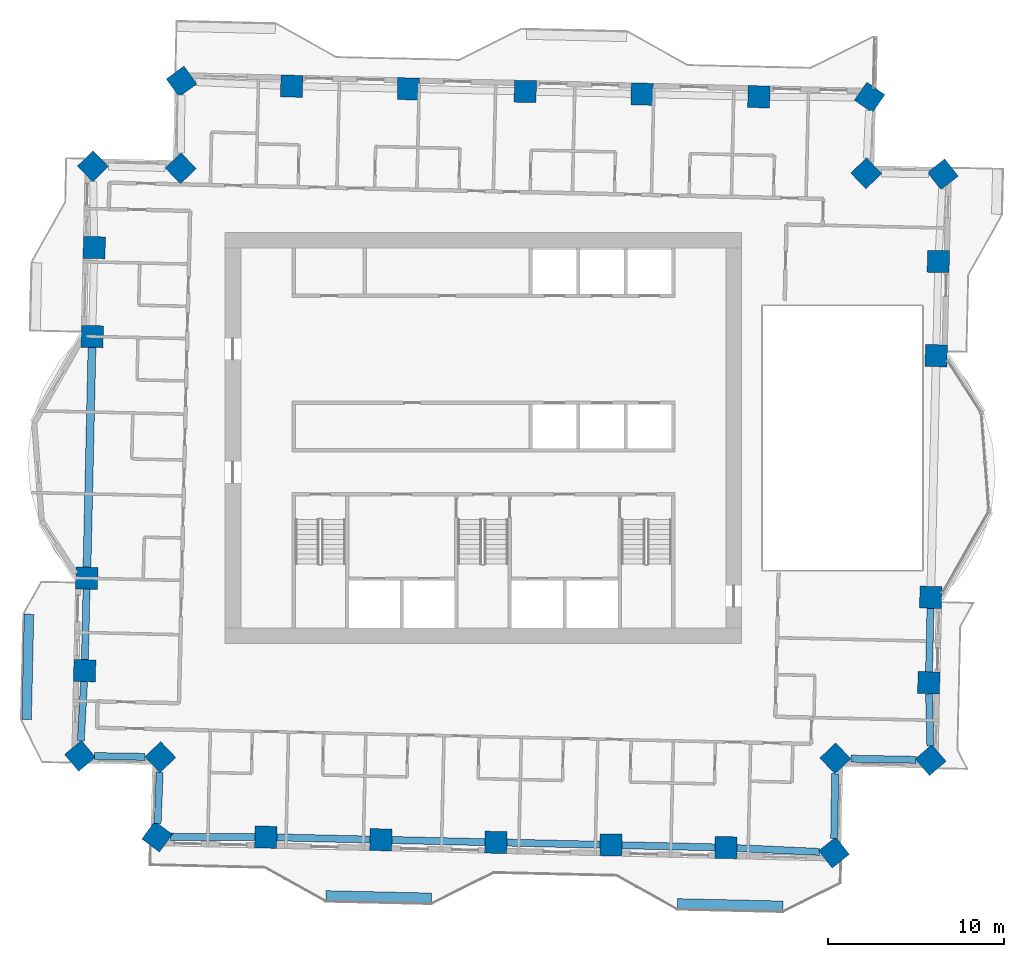
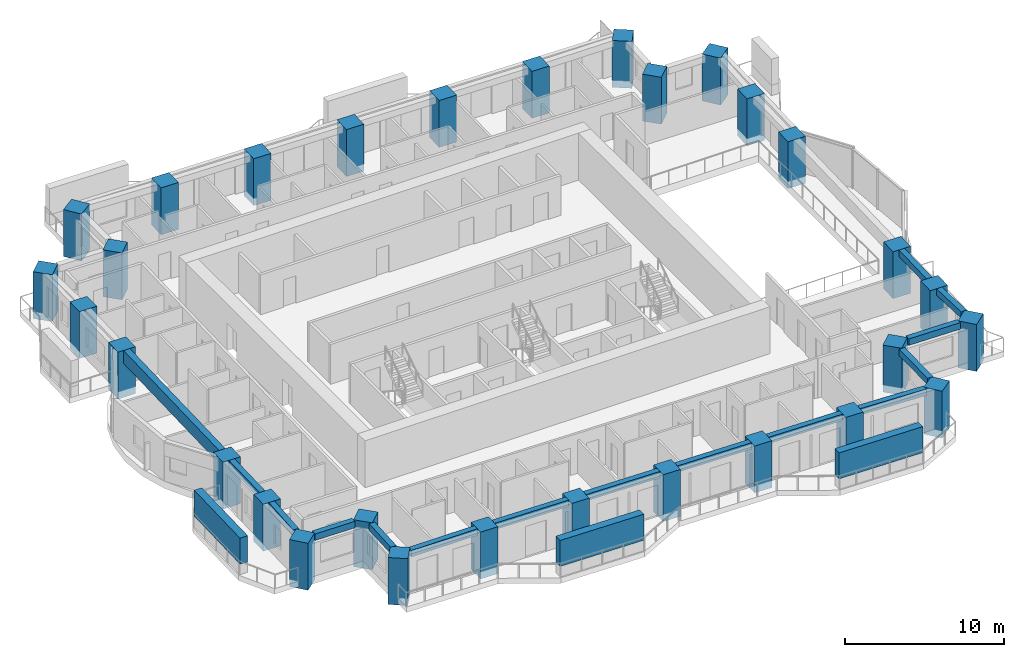
# One storey, part 1 of 14: 30 columns, 15 beams, 3 members.
"""IFC4 building model written with IfcOpenShell, lengths in metres."""

from ifc_helpers import new_model, si_unit, direction, frame, origin, origin_2d, place, context, subcontext, project, spatial, rectangle, extrude, material, material_profile, profile_set, type_object, element, save


model = new_model("IFC4")

# Units and contexts
model_context = context("Model", 3, precision=1e-05, world=origin(), true_north=direction((0.0, 1.0)))
body_context = subcontext(model_context, "Body", "Model", "MODEL_VIEW")
ifc_project = project(units=[si_unit("LENGTHUNIT", "METRE"), si_unit("AREAUNIT", "SQUARE_METRE"), si_unit("VOLUMEUNIT", "CUBIC_METRE"), si_unit("PLANEANGLEUNIT", "RADIAN"), si_unit("MASSUNIT", "GRAM", prefix="KILO")], contexts=[model_context])

# Site, building, storey
site_placement = place(None, origin())
site = spatial("IfcSite", under=ifc_project, at=site_placement, CompositionType="ELEMENT")
building_placement = place(site_placement, origin())
building = spatial("IfcBuilding", under=site, at=building_placement, Name="Mangrove Gate Tower", CompositionType="ELEMENT")
storey_placement = place(building_placement, frame((0.0, 0.0, 167.10009765625)))
storey = spatial("IfcBuildingStorey", under=building, at=storey_placement, Name="L42", CompositionType="ELEMENT", Elevation=167.10009765625)

# Columns
ifc_material_1 = material(Name="Concrete C60/75", Category="concrete")
ifc_material_profile_1 = material_profile(ifc_material_1, rectangle(XDim=1.25, YDim=1.25, at=origin_2d()))
ifc_profile_set_1 = profile_set([ifc_material_profile_1], Name="Concrete C60/75")
column_type = type_object("IfcColumnType", Name="Column RC 1250x1250 C60/75", PredefinedType="COLUMN", material=ifc_profile_set_1)
for number, where, z_axis, x_axis, name in (
    (1, (-22.565185546875, -7.979248046875, -0.550048828125), (0.0, 0.0, 1.0), (-0.022667651322, -0.999743055782, 0.0), "Column L42 W05"),
    (2, (-22.68408203125, -13.240234375, -0.550048828125), (0.0, 0.0, 1.0), (-0.022613490188, -0.999744282335, 0.0), "Column L42 W06"),
    (3, (-22.9482421875, -18.08642578125, -0.550048828125), (0.0, 0.0, 1.0), (0.640873753585, -0.767646293527, 0.0), "Column L42 W07"),
    (4, (-18.378173828125, -18.1591796875, -0.550048828125), (0.0, 0.0, 1.0), (0.690859559249, -0.722988982899, 0.0), "Column L42 W08"),
    (5, (-18.563232421875, -22.686767578125, -0.550048828125), (0.0, 0.0, 1.0), (0.804996144733, -0.593280040929, 0.0), "Column L42 S01"),
    (6, (-12.374755859375, -22.713134765625, -0.550048828125), (0.0, 0.0, 1.0), (0.999742702367, -0.022683233105, 0.0), "Column L42 S02"),
    (7, (-5.829833984375, -22.862060546875, -0.550048828125), (0.0, 0.0, 1.0), (0.999742702367, -0.022683233105, 0.0), "Column L42 S03"),
    (8, (0.715087890625, -23.01025390625, -0.550048828125), (0.0, 0.0, 1.0), (0.999742702367, -0.022683233105, 0.0), "Column L42 S04"),
    (9, (7.26025390625, -23.1591796875, -0.550048828125), (0.0, 0.0, 1.0), (0.999742702367, -0.022683233105, 0.0), "Column L42 S05"),
    (10, (13.80517578125, -23.30712890625, -0.550048828125), (0.0, 0.0, 1.0), (0.999742702367, -0.022683233105, 0.0), "Column L42 S06"),
    (11, (19.94921875, -23.590087890625, -0.550048828125), (0.0, 0.0, 1.0), (0.785651346068, 0.618669509853, 0.0), "Column L42 S07"),
    (12, (20.026123046875, -18.230224609375, -0.550048828125), (0.0, 0.0, 1.0), (0.722965976266, 0.690883635037, 0.0), "Column L42 E01"),
    (13, (25.449462890625, -18.3310546875, -0.550048828125), (0.0, 0.0, 1.0), (0.758167511602, 0.65205983188, 0.0), "Column L42 E02"),
    (14, (25.342041015625, -13.9296875, -0.550048828125), (0.0, 0.0, 1.0), (0.022726069892, 0.999741729522, 0.0), "Column L42 E03"),
    (15, (25.453125, -9.06884765625, -0.550048828125), (0.0, 0.0, 1.0), (0.022725057863, 0.999741752527, 0.0), "Column L42 E04"),
    (16, (25.76513671875, 4.67919921875, -0.550048828125), (0.0, 0.0, 1.0), (0.022654843895, 0.999743346088, 0.0), "Column L42 E05"),
    (17, (25.88623046875, 10.0390625, -0.550048828125), (0.0, 0.0, 1.0), (0.022659973846, 0.999743229827, 0.0), "Column L42 E06"),
    (18, (26.140869140625, 15.000732421875, -0.550048828125), (0.0, 0.0, 1.0), (-0.616591984417, 0.787282874672, 0.0), "Column L42 E07"),
    (19, (21.7822265625, 15.05419921875, -0.550048828125), (0.0, 0.0, 1.0), (-0.690854032309, 0.722994264183, 0.0), "Column L42 E08"),
    (20, (21.977294921875, 19.371826171875, -0.550048828125), (0.0, 0.0, 1.0), (-0.821084149613, 0.570807164684, 0.0), "Column L42 N01"),
    (21, (15.6748046875, 19.4111328125, -0.550048828125), (0.0, 0.0, 1.0), (-0.999741913136, 0.022717991104, 0.0), "Column L42 N02"),
    (22, (9.02978515625, 19.562255859375, -0.550048828125), (0.0, 0.0, 1.0), (-0.999741913136, 0.022717991104, 0.0), "Column L42 N03"),
    (23, (2.384765625, 19.713134765625, -0.550048828125), (0.0, 0.0, 1.0), (-0.999743618843, 0.022642804212, 0.0), "Column L42 N04"),
    (24, (-4.26025390625, 19.86328125, -0.550048828125), (0.0, 0.0, 1.0), (-0.999743618843, 0.022642804212, 0.0), "Column L42 N05"),
    (25, (-10.9052734375, 20.01416015625, -0.550048828125), (0.0, 0.0, 1.0), (-0.999741913136, 0.022717991104, 0.0), "Column L42 N06"),
    (26, (-17.171630859375, 20.2822265625, -0.550048828125), (0.0, 0.0, 1.0), (-0.812545678333, -0.582897521545, 0.0), "Column L42 N07"),
    (27, (-17.21728515625, 15.339111328125, -0.550048828125), (0.0, 0.0, 1.0), (-0.722976563275, -0.690872556232, 0.0), "Column L42 W01"),
    (28, (-22.21337890625, 15.455810546875, -0.550048828125), (0.0, 0.0, 1.0), (-0.718744863036, -0.695273918581, 0.0), "Column L42 W02"),
    (29, (-22.13818359375, 10.829833984375, -0.550048828125), (0.0, 0.0, 1.0), (-0.022716926728, -0.999741937322, 0.0), "Column L42 W03"),
    (30, (-22.253173828125, 5.768798828125, -0.550048828125), (0.0, 0.0, 1.0), (-0.022696057972, -0.9997424113, 0.0), "Column L42 W04"),
):
    element("IfcColumn", number, at=place(storey_placement, frame(where, z_axis=z_axis, x_axis=x_axis)), inside=storey, type_object=column_type, Name=name, PredefinedType="COLUMN", context=body_context, shape_type="SweptSolid", body=[
        extrude(rectangle(XDim=1.25, YDim=1.25, at=origin_2d()), origin(), (0.0, 0.0, 1.0), 3.599853515625),
    ])

# Members
ifc_material_2 = material(Name="Planting on aluminium trellis", Category="aluminium")
ifc_material_profile_2 = material_profile(ifc_material_2, rectangle(XDim=0.550048828125, YDim=2.0, at=origin_2d()))
ifc_profile_set_2 = profile_set([ifc_material_profile_2], Name="Planting on aluminium trellis")
member_type = type_object("IfcMemberType", Name="Balcony greenery screen 550x2000", PredefinedType="USERDEFINED", material=ifc_profile_set_2)
member_placement = place(storey_placement, frame((-25.988037109375, -16.028076171875, 1.7998046875), z_axis=(0.022662255828, 0.999743178102, 0.0), x_axis=(-0.999743178102, 0.022662255828, 0.0)))
element("IfcMember", 31, at=member_placement, inside=storey, type_object=member_type, Name="GREEN SCREEN L42 W1.1", ObjectType="PLANTING", PredefinedType="USERDEFINED", context=body_context, shape_type="SweptSolid", body=[
    extrude(rectangle(XDim=0.550048828125, YDim=2.0, at=origin_2d()), origin(), (0.0, 0.0, 1.0), 6.00048828125),
])
for number, where, z_axis, x_axis, name in (
    (32, (-8.9560546875, -26.031982421875, 1.7998046875), (0.999743094499, -0.022665943652, 0.0), (0.022665943652, 0.999743094499, 0.0), "GREEN SCREEN L42 S0.1"),
    (33, (11.0390625, -26.486083984375, 1.7998046875), (0.999743094499, -0.022665943652, 0.0), (0.022665943652, 0.999743094499, 0.0), "GREEN SCREEN L42 S1.1"),
):
    element("IfcMember", number, at=place(storey_placement, frame(where, z_axis=z_axis, x_axis=x_axis)), inside=storey, type_object=member_type, Name=name, ObjectType="PLANTING", PredefinedType="USERDEFINED", context=body_context, shape_type="SweptSolid", body=[
        extrude(rectangle(XDim=0.550048828125, YDim=2.0, at=origin_2d()), origin(), (0.0, 0.0, 1.0), 5.99951171875),
    ])

# Beams
ifc_material_3 = material(Name="Concrete C50/60", Category="concrete")
ifc_material_profile_3 = material_profile(ifc_material_3, rectangle(XDim=0.39990234375, YDim=0.5, at=origin_2d()))
ifc_profile_set_3 = profile_set([ifc_material_profile_3], Name="Concrete C50/60")
beam_type_1 = type_object("IfcBeamType", Name="Edge beam RC 400x500 C50/60", PredefinedType="BEAM", material=ifc_profile_set_3)
beam_1_placement = place(storey_placement, frame((-22.579345703125, -8.60400390625, 2.7998046875), z_axis=(-0.02257489059, -0.999745154684, 0.0), x_axis=(0.999745154684, -0.02257489059, 0.0)))
element("IfcBeam", 34, at=beam_1_placement, inside=storey, type_object=beam_type_1, Name="Edge beam L42 00", PredefinedType="BEAM", context=body_context, shape_type="SweptSolid", body=[
    extrude(rectangle(XDim=0.39990234375, YDim=0.5, at=origin_2d()), origin(), (0.0, 0.0, 1.0), 4.01220703125),
])
beam_2_placement = place(storey_placement, frame((-22.71826171875, -13.864501953125, 2.7998046875), z_axis=(-0.054415957845, -0.998518354129, 0.0), x_axis=(0.998518354129, -0.054415957845, 0.0)))
element("IfcBeam", 35, at=beam_2_placement, inside=storey, type_object=beam_type_1, Name="Edge beam L42 01", PredefinedType="BEAM", context=body_context, shape_type="SweptSolid", body=[
    extrude(rectangle(XDim=0.39990234375, YDim=0.5, at=origin_2d()), origin(), (0.0, 0.0, 1.0), 3.373779296875),
])
beam_3_placement = place(storey_placement, frame((-22.123046875, -18.099609375, 2.7998046875), z_axis=(0.999873252746, -0.015921006324, 0.0), x_axis=(0.015921006324, 0.999873252746, 0.0)))
element("IfcBeam", 36, at=beam_3_placement, inside=storey, type_object=beam_type_1, Name="Edge beam L42 02", PredefinedType="BEAM", context=body_context, shape_type="SweptSolid", body=[
    extrude(rectangle(XDim=0.39990234375, YDim=0.5, at=origin_2d()), origin(), (0.0, 0.0, 1.0), 2.867431640625),
])
beam_4_placement = place(storey_placement, frame((-18.41357421875, -19.02685546875, 2.7998046875), z_axis=(-0.040876425579, -0.999164209643, 0.0), x_axis=(0.999164209643, -0.040876425579, 0.0)))
element("IfcBeam", 37, at=beam_4_placement, inside=storey, type_object=beam_type_1, Name="Edge beam L42 03", PredefinedType="BEAM", context=body_context, shape_type="SweptSolid", body=[
    extrude(rectangle(XDim=0.39990234375, YDim=0.5, at=origin_2d()), origin(), (0.0, 0.0, 1.0), 2.90869140625),
])
beam_5_placement = place(storey_placement, frame((-17.789306640625, -22.690185546875, 2.7998046875), z_axis=(0.999991049338, -0.004230986241, 0.0), x_axis=(0.004230986241, 0.999991049338, 0.0)))
element("IfcBeam", 38, at=beam_5_placement, inside=storey, type_object=beam_type_1, Name="Edge beam L42 04", PredefinedType="BEAM", context=body_context, shape_type="SweptSolid", body=[
    extrude(rectangle(XDim=0.39990234375, YDim=0.5, at=origin_2d()), origin(), (0.0, 0.0, 1.0), 4.789306640625),
])
for number, where, z_axis, x_axis, name in (
    (39, (-11.75, -22.727294921875, 2.7998046875), (0.999740739783, -0.022769567794, 0.0), (0.022769567794, 0.999740739783, 0.0), "Edge beam L42 05"),
    (40, (-5.205078125, -22.876220703125, 2.7998046875), (0.999743877925, -0.022631362105, 0.0), (0.022631362105, 0.999743877925, 0.0), "Edge beam L42 06"),
):
    element("IfcBeam", number, at=place(storey_placement, frame(where, z_axis=z_axis, x_axis=x_axis)), inside=storey, type_object=beam_type_1, Name=name, PredefinedType="BEAM", context=body_context, shape_type="SweptSolid", body=[
        extrude(rectangle(XDim=0.39990234375, YDim=0.5, at=origin_2d()), origin(), (0.0, 0.0, 1.0), 5.296875),
    ])
beam_6_placement = place(storey_placement, frame((1.340087890625, -23.0244140625, 2.7998046875), z_axis=(0.999740715885, -0.022770617071, 0.0), x_axis=(0.022770617071, 0.999740715885, 0.0)))
element("IfcBeam", 41, at=beam_6_placement, inside=storey, type_object=beam_type_1, Name="Edge beam L42 07", PredefinedType="BEAM", context=body_context, shape_type="SweptSolid", body=[
    extrude(rectangle(XDim=0.39990234375, YDim=0.5, at=origin_2d()), origin(), (0.0, 0.0, 1.0), 5.296630859375),
])
beam_7_placement = place(storey_placement, frame((7.885009765625, -23.17333984375, 2.7998046875), z_axis=(0.999744919731, -0.022585293253, 0.0), x_axis=(0.022585293253, 0.999744919731, 0.0)))
element("IfcBeam", 42, at=beam_7_placement, inside=storey, type_object=beam_type_1, Name="Edge beam L42 08", PredefinedType="BEAM", context=body_context, shape_type="SweptSolid", body=[
    extrude(rectangle(XDim=0.39990234375, YDim=0.5, at=origin_2d()), origin(), (0.0, 0.0, 1.0), 5.296875),
])
beam_8_placement = place(storey_placement, frame((14.4296875, -23.3359375, 2.7998046875), z_axis=(0.998942344902, -0.045980338859, 0.0), x_axis=(0.045980338859, 0.998942344902, 0.0)))
element("IfcBeam", 43, at=beam_8_placement, inside=storey, type_object=beam_type_1, Name="Edge beam L42 09", PredefinedType="BEAM", context=body_context, shape_type="SweptSolid", body=[
    extrude(rectangle(XDim=0.39990234375, YDim=0.5, at=origin_2d()), origin(), (0.0, 0.0, 1.0), 4.698974609375),
])
beam_9_placement = place(storey_placement, frame((19.9609375, -22.785400390625, 2.7998046875), z_axis=(0.014333541957, 0.999897269511, 0.0), x_axis=(-0.999897269511, 0.014333541957, 0.0)))
element("IfcBeam", 44, at=beam_9_placement, inside=storey, type_object=beam_type_1, Name="Edge beam L42 10", PredefinedType="BEAM", context=body_context, shape_type="SweptSolid", body=[
    extrude(rectangle(XDim=0.39990234375, YDim=0.5, at=origin_2d()), origin(), (0.0, 0.0, 1.0), 3.67919921875),
])
beam_10_placement = place(storey_placement, frame((20.90625, -18.24658203125, 2.7998046875), z_axis=(0.999827422602, -0.018577540566, 0.0), x_axis=(0.018577540566, 0.999827422602, 0.0)))
element("IfcBeam", 45, at=beam_10_placement, inside=storey, type_object=beam_type_1, Name="Edge beam L42 11", PredefinedType="BEAM", context=body_context, shape_type="SweptSolid", body=[
    extrude(rectangle(XDim=0.39990234375, YDim=0.5, at=origin_2d()), origin(), (0.0, 0.0, 1.0), 3.7060546875),
])
beam_11_placement = place(storey_placement, frame((25.4296875, -17.523681640625, 2.7998046875), z_axis=(-0.024338897392, 0.999703765159, 0.0), x_axis=(-0.999703765159, -0.024338897392, 0.0)))
element("IfcBeam", 46, at=beam_11_placement, inside=storey, type_object=beam_type_1, Name="Edge beam L42 12", PredefinedType="BEAM", context=body_context, shape_type="SweptSolid", body=[
    extrude(rectangle(XDim=0.39990234375, YDim=0.5, at=origin_2d()), origin(), (0.0, 0.0, 1.0), 2.96923828125),
])
beam_12_placement = place(storey_placement, frame((25.3564453125, -13.304931640625, 2.7998046875), z_axis=(0.022844226229, 0.999739036613, 0.0), x_axis=(-0.999739036613, 0.022844226229, 0.0)))
element("IfcBeam", 47, at=beam_12_placement, inside=storey, type_object=beam_type_1, Name="Edge beam L42 13", PredefinedType="BEAM", context=body_context, shape_type="SweptSolid", body=[
    extrude(rectangle(XDim=0.39990234375, YDim=0.5, at=origin_2d()), origin(), (0.0, 0.0, 1.0), 3.6123046875),
])
ifc_material_4 = material(Name="Concrete C50/60", Category="concrete")
ifc_material_profile_4 = material_profile(ifc_material_4, rectangle(XDim=0.449951171875, YDim=1.0, at=origin_2d()))
ifc_profile_set_4 = profile_set([ifc_material_profile_4], Name="Concrete C50/60")
beam_type_2 = type_object("IfcBeamType", Name="Edge beam RC 450x1000 C50/60", PredefinedType="BEAM", material=ifc_profile_set_4)
beam_13_placement = place(storey_placement, frame((-22.267333984375, 5.14404296875, 2.5498046875), z_axis=(-0.02269257074, -0.999742490461, 0.0), x_axis=(0.999742490461, -0.02269257074, 0.0)))
element("IfcBeam", 48, at=beam_13_placement, inside=storey, type_object=beam_type_2, Name="Edge beam L42 29", PredefinedType="BEAM", context=body_context, shape_type="SweptSolid", body=[
    extrude(rectangle(XDim=0.449951171875, YDim=1.0, at=origin_2d()), origin(), (0.0, 0.0, 1.0), 12.50146484375),
])

save(model, "model.ifc")
